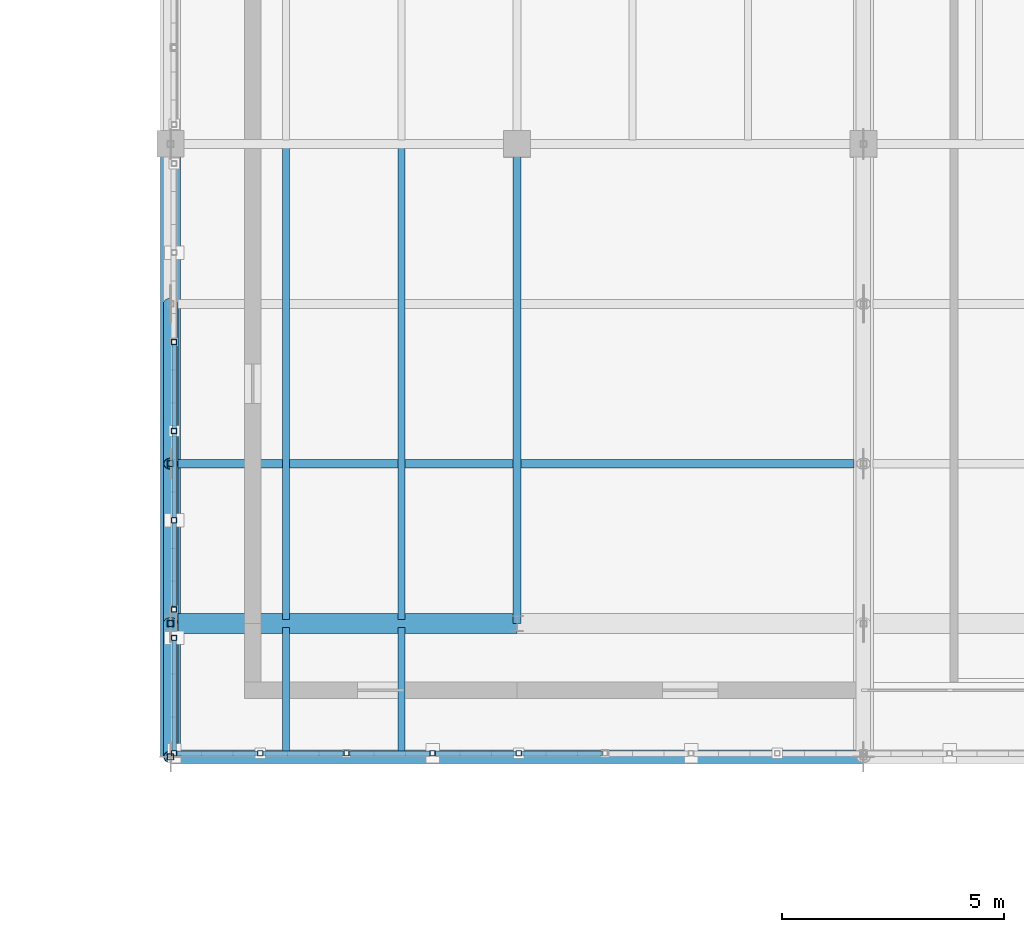
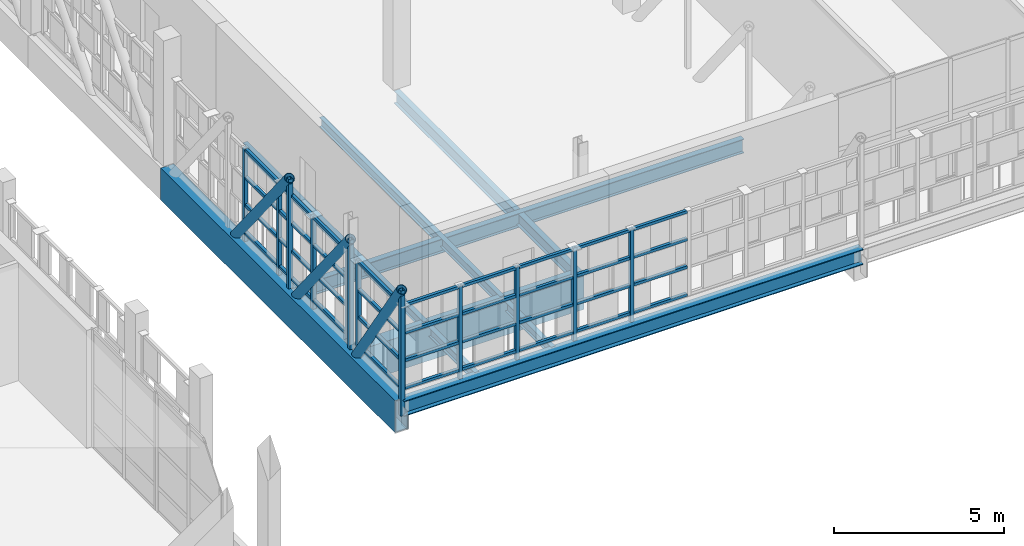
# One storey, part 22 of 119: 52 members, 9 beams.
"""IFC4 building model written with IfcOpenShell, lengths in metres."""

from ifc_helpers import new_model, si_unit, direction, frame, origin, origin_2d, place, context, subcontext, project, spatial, hollow_rectangle, hollow_circle, i_section, extrude, material, material_profile, profile_set, type_object, element, save


model = new_model("IFC4")

# Units and contexts
model_context = context("Model", 3, precision=1e-05, world=origin(), true_north=direction((0.0, 1.0)))
body_context = subcontext(model_context, "Body", "Model", "MODEL_VIEW")
ifc_project = project(units=[si_unit("LENGTHUNIT", "METRE"), si_unit("AREAUNIT", "SQUARE_METRE"), si_unit("VOLUMEUNIT", "CUBIC_METRE"), si_unit("PLANEANGLEUNIT", "RADIAN"), si_unit("MASSUNIT", "GRAM", prefix="KILO")], contexts=[model_context])

# Site, building, storey
site_placement = place(None, origin())
site = spatial("IfcSite", under=ifc_project, at=site_placement, CompositionType="ELEMENT")
building_placement = place(site_placement, origin())
building = spatial("IfcBuilding", under=site, at=building_placement, Name="Celorna Specialist Clinic", CompositionType="ELEMENT")
storey_placement = place(building_placement, frame((0.0, 0.0, 9.60009765625)))
storey = spatial("IfcBuildingStorey", under=building, at=storey_placement, Name="L02", CompositionType="ELEMENT", Elevation=9.60009765625)

# Beams
ifc_material = material(Name="Steel S355", Category="steel")
ifc_material_profile_1 = material_profile(ifc_material, hollow_rectangle(XDim=0.449951171875, YDim=1.14990234375, WallThickness=0.031982421875, at=origin_2d()), Name="BOX 450x1150x32")
ifc_profile_set_1 = profile_set([ifc_material_profile_1], Name="Steel S355")
beam_type_1 = type_object("IfcBeamType", Name="BM-01", PredefinedType="BEAM", material=ifc_profile_set_1)
beam_1_placement = place(storey_placement, frame((54.60009765625, 5.699951171875, -0.835205078125), z_axis=(0.0, 1.0, 0.0), x_axis=(-1.0, 0.0, 0.0)))
element("IfcBeam", 1, at=beam_1_placement, inside=storey, type_object=beam_type_1, Name="Cantilever Pratt truss chord WP-001-WP-002", PredefinedType="BEAM", context=body_context, shape_type="SweptSolid", body=[
    extrude(hollow_rectangle(XDim=0.449951171875, YDim=1.14990234375, WallThickness=0.031982421875, at=origin_2d()), origin(), (0.0, 0.0, 1.0), 13.800048828125),
])
ifc_material_profile_2 = material_profile(ifc_material, hollow_rectangle(XDim=0.449951171875, YDim=1.199951171875, WallThickness=0.031982421875, at=origin_2d()), Name="BOX 450x1200x32")
ifc_profile_set_2 = profile_set([ifc_material_profile_2], Name="Steel S355")
beam_type_2 = type_object("IfcBeamType", Name="BM-02", PredefinedType="BEAM", material=ifc_profile_set_2)
beam_2_placement = place(storey_placement, frame((54.60009765625, 8.699951171875, -0.860107421875), z_axis=(1.0, 0.0, 0.0), x_axis=(0.0, 1.0, 0.0)))
element("IfcBeam", 2, at=beam_2_placement, inside=storey, type_object=beam_type_2, Name="Portico transfer box girder BM-02 #9", PredefinedType="BEAM", context=body_context, shape_type="SweptSolid", body=[
    extrude(hollow_rectangle(XDim=0.449951171875, YDim=1.199951171875, WallThickness=0.031982421875, at=origin_2d()), origin(), (0.0, 0.0, 1.0), 7.7998046875),
])
ifc_material_profile_3 = material_profile(ifc_material, i_section(OverallWidth=0.300048828125, OverallDepth=0.550048828125, WebThickness=0.014892578125, FlangeThickness=0.029052734375, at=origin_2d()), Name="HE 550 B")
ifc_profile_set_3 = profile_set([ifc_material_profile_3], Name="Steel S355")
beam_type_3 = type_object("IfcBeamType", Name="BM-04", PredefinedType="BEAM", material=ifc_profile_set_3)
beam_3_placement = place(storey_placement, frame((54.60009765625, 5.699951171875, -0.53515625), z_axis=(1.0, 0.0, 0.0), x_axis=(0.0, 1.0, 0.0)))
element("IfcBeam", 3, at=beam_3_placement, inside=storey, type_object=beam_type_3, Name="Cantilever nose edge girder BM-04 #3", PredefinedType="BEAM", context=body_context, shape_type="SweptSolid", body=[
    extrude(i_section(OverallWidth=0.300048828125, OverallDepth=0.550048828125, WebThickness=0.014892578125, FlangeThickness=0.029052734375, at=origin_2d()), origin(), (0.0, 0.0, 1.0), 15.599853515625),
])
ifc_material_profile_4 = material_profile(ifc_material, i_section(OverallWidth=0.199951171875, OverallDepth=0.5, WebThickness=0.01025390625, FlangeThickness=0.01611328125, at=origin_2d()), Name="IPE 500")
ifc_profile_set_4 = profile_set([ifc_material_profile_4], Name="Steel S355")
beam_type_4 = type_object("IfcBeamType", Name="BM-08", PredefinedType="BEAM", material=ifc_profile_set_4)
beam_4_placement = place(storey_placement, frame((54.60009765625, 12.300048828125, -0.510009765625), z_axis=(1.0, 0.0, 0.0), x_axis=(0.0, 1.0, 0.0)))
element("IfcBeam", 4, at=beam_4_placement, inside=storey, type_object=beam_type_4, Name="Cantilever floor girder BM-08 #18", PredefinedType="BEAM", context=body_context, shape_type="SweptSolid", body=[
    extrude(i_section(OverallWidth=0.199951171875, OverallDepth=0.5, WebThickness=0.01025390625, FlangeThickness=0.01611328125, at=origin_2d()), origin(), (0.0, 0.0, 1.0), 15.385009765625),
])
ifc_material_profile_5 = material_profile(ifc_material, i_section(OverallWidth=0.18994140625, OverallDepth=0.449951171875, WebThickness=0.009521484375, FlangeThickness=0.0146484375, at=origin_2d()), Name="IPE 450")
ifc_profile_set_5 = profile_set([ifc_material_profile_5], Name="Steel S355")
beam_type_5 = type_object("IfcBeamType", Name="BM-09", PredefinedType="BEAM", material=ifc_profile_set_5)
beam_5_placement = place(storey_placement, frame((62.39990234375, 8.699951171875, -0.485107421875), z_axis=(0.0, 1.0, 0.0), x_axis=(-1.0, 0.0, 0.0)))
element("IfcBeam", 5, at=beam_5_placement, inside=storey, type_object=beam_type_5, Name="Transverse girder BM-09 #2125", PredefinedType="BEAM", context=body_context, shape_type="SweptSolid", body=[
    extrude(i_section(OverallWidth=0.18994140625, OverallDepth=0.449951171875, WebThickness=0.009521484375, FlangeThickness=0.0146484375, at=origin_2d()), origin(), (0.0, 0.0, 1.0), 10.800048828125),
])
ifc_material_profile_6 = material_profile(ifc_material, i_section(OverallWidth=0.159912109375, OverallDepth=0.330078125, WebThickness=0.007568359375, FlangeThickness=0.011474609375, at=origin_2d()), Name="IPE 330")
ifc_profile_set_6 = profile_set([ifc_material_profile_6], Name="Steel S355")
beam_type_6 = type_object("IfcBeamType", Name="BM-12", PredefinedType="JOIST", material=ifc_profile_set_6)
for number, where, z_axis, x_axis, name in (
    (6, (57.199951171875, 5.7880859375, -0.425048828125), (0.0, 1.0, 0.0), (-1.0, 0.0, 0.0), "Secondary floor joist BM-12 #2132"),
    (7, (59.800048828125, 5.7880859375, -0.425048828125), (0.0, 1.0, 0.0), (-1.0, 0.0, 0.0), "Secondary floor joist BM-12 #2133"),
):
    element("IfcBeam", number, at=place(storey_placement, frame(where, z_axis=z_axis, x_axis=x_axis)), inside=storey, type_object=beam_type_6, Name=name, PredefinedType="JOIST", context=body_context, shape_type="SweptSolid", body=[
        extrude(i_section(OverallWidth=0.159912109375, OverallDepth=0.330078125, WebThickness=0.007568359375, FlangeThickness=0.011474609375, at=origin_2d()), origin(), (0.0, 0.0, 1.0), 2.823974609375),
    ])
for number, where, z_axis, x_axis, name in (
    (8, (57.199951171875, 8.7880859375, -0.425048828125), (0.0, 1.0, 0.0), (-1.0, 0.0, 0.0), "Secondary floor joist BM-12 #2134"),
    (9, (59.800048828125, 8.7880859375, -0.425048828125), (0.0, 1.0, 0.0), (-1.0, 0.0, 0.0), "Secondary floor joist BM-12 #2135"),
):
    element("IfcBeam", number, at=place(storey_placement, frame(where, z_axis=z_axis, x_axis=x_axis)), inside=storey, type_object=beam_type_6, Name=name, PredefinedType="JOIST", context=body_context, shape_type="SweptSolid", body=[
        extrude(i_section(OverallWidth=0.159912109375, OverallDepth=0.330078125, WebThickness=0.007568359375, FlangeThickness=0.011474609375, at=origin_2d()), origin(), (0.0, 0.0, 1.0), 10.6240234375),
    ])

# Members
ifc_material_profile_7 = material_profile(ifc_material, hollow_circle(Radius=0.161865234375, WallThickness=0.01611328125, at=origin_2d()), Name="CHS 323.9x16")
ifc_profile_set_7 = profile_set([ifc_material_profile_7], Name="Steel S355")
member_type_1 = type_object("IfcMemberType", Name="MB-05", PredefinedType="BRACE", material=ifc_profile_set_7)
member_1_placement = place(storey_placement, frame((54.60009765625, 5.699951171875, 3.664794921875), z_axis=(0.0, 0.554700196225, -0.832050294338), x_axis=(-1.0, 0.0, 0.0)))
element("IfcMember", 10, at=member_1_placement, inside=storey, type_object=member_type_1, Name="Cantilever Pratt truss web diagonal WP-006-WP-016", PredefinedType="BRACE", context=body_context, shape_type="SweptSolid", body=[
    extrude(hollow_circle(Radius=0.161865234375, WallThickness=0.01611328125, at=origin_2d()), origin(), (0.0, 0.0, 1.0), 5.408447265625),
])
member_2_placement = place(storey_placement, frame((54.60009765625, 8.699951171875, 3.664794921875), z_axis=(0.0, 0.624705380279, -0.780860543151), x_axis=(-1.0, 0.0, 0.0)))
element("IfcMember", 11, at=member_2_placement, inside=storey, type_object=member_type_1, Name="Cantilever Pratt truss web diagonal WP-017-WP-018", PredefinedType="BRACE", context=body_context, shape_type="SweptSolid", body=[
    extrude(hollow_circle(Radius=0.161865234375, WallThickness=0.01611328125, at=origin_2d()), origin(), (0.0, 0.0, 1.0), 5.762939453125),
])
member_3_placement = place(storey_placement, frame((54.60009765625, 12.300048828125, 3.664794921875), z_axis=(0.0, 0.624679547852, -0.780881208953), x_axis=(-1.0, 0.0, 0.0)))
element("IfcMember", 12, at=member_3_placement, inside=storey, type_object=member_type_1, Name="Cantilever Pratt truss web diagonal WP-019-WP-020", PredefinedType="BRACE", context=body_context, shape_type="SweptSolid", body=[
    extrude(hollow_circle(Radius=0.161865234375, WallThickness=0.01611328125, at=origin_2d()), origin(), (0.0, 0.0, 1.0), 5.7626953125),
])
ifc_material_profile_8 = material_profile(ifc_material, hollow_rectangle(XDim=0.139892578125, YDim=0.139892578125, WallThickness=0.008056640625, at=origin_2d()), Name="SHS 140x140x8")
ifc_profile_set_8 = profile_set([ifc_material_profile_8], Name="Steel S355")
member_type_2 = type_object("IfcMemberType", Name="MB-10", PredefinedType="CHORD", material=ifc_profile_set_8)
for number, where, z_axis, x_axis, name in (
    (13, (54.60009765625, 5.699951171875, -0.835205078125), (0.0, 0.0, 1.0), (1.0, 0.0, 0.0), "Cantilever Pratt truss vertical post WP-001-WP-006"),
    (14, (54.60009765625, 8.699951171875, -0.835205078125), (0.0, 0.0, 1.0), (1.0, 0.0, 0.0), "Cantilever Pratt truss vertical post WP-016-WP-017"),
    (15, (54.60009765625, 12.300048828125, -0.835205078125), (0.0, 0.0, 1.0), (1.0, 0.0, 0.0), "Cantilever Pratt truss vertical post WP-018-WP-019"),
):
    element("IfcMember", number, at=place(storey_placement, frame(where, z_axis=z_axis, x_axis=x_axis)), inside=storey, type_object=member_type_2, Name=name, PredefinedType="CHORD", context=body_context, shape_type="SweptSolid", body=[
        extrude(hollow_rectangle(XDim=0.139892578125, YDim=0.139892578125, WallThickness=0.008056640625, at=origin_2d()), origin(), (0.0, 0.0, 1.0), 4.5),
    ])
ifc_material_profile_9 = material_profile(ifc_material, hollow_rectangle(XDim=0.1201171875, YDim=0.1201171875, WallThickness=0.008056640625, at=origin_2d()), Name="SHS 120x120x8")
ifc_profile_set_9 = profile_set([ifc_material_profile_9], Name="Steel S355")
member_type_3 = type_object("IfcMemberType", Name="MB-11", PredefinedType="STUD", material=ifc_profile_set_9)
for number, where, z_axis, x_axis, name in (
    (16, (54.679931640625, 5.780029296875, -0.360107421875), (0.0, 0.0, 1.0), (1.0, 0.0, 0.0), "Perforated screen steel post #1"),
    (17, (56.6201171875, 5.780029296875, -0.360107421875), (0.0, 0.0, 1.0), (1.0, 0.0, 0.0), "Perforated screen steel post #2"),
    (18, (58.56005859375, 5.780029296875, -0.360107421875), (0.0, 0.0, 1.0), (1.0, 0.0, 0.0), "Perforated screen steel post #3"),
    (19, (60.5, 5.780029296875, -0.360107421875), (0.0, 0.0, 1.0), (1.0, 0.0, 0.0), "Perforated screen steel post #4"),
    (20, (62.43994140625, 5.780029296875, -0.360107421875), (0.0, 0.0, 1.0), (1.0, 0.0, 0.0), "Perforated screen steel post #5"),
    (21, (54.679931640625, 8.3798828125, -0.360107421875), (0.0, 0.0, 1.0), (1.0, 0.0, 0.0), "Perforated screen steel post #163"),
    (22, (54.679931640625, 9.02001953125, -0.360107421875), (0.0, 0.0, 1.0), (1.0, 0.0, 0.0), "Perforated screen steel post #168"),
    (23, (54.679931640625, 11.028076171875, -0.360107421875), (0.0, 0.0, 1.0), (1.0, 0.0, 0.0), "Perforated screen steel post #169"),
    (24, (54.679931640625, 13.035888671875, -0.360107421875), (0.0, 0.0, 1.0), (1.0, 0.0, 0.0), "Perforated screen steel post #170"),
    (25, (54.679931640625, 15.0439453125, -0.360107421875), (0.0, 0.0, 1.0), (1.0, 0.0, 0.0), "Perforated screen steel post #171"),
):
    element("IfcMember", number, at=place(storey_placement, frame(where, z_axis=z_axis, x_axis=x_axis)), inside=storey, type_object=member_type_3, Name=name, PredefinedType="STUD", context=body_context, shape_type="SweptSolid", body=[
        extrude(hollow_rectangle(XDim=0.1201171875, YDim=0.1201171875, WallThickness=0.008056640625, at=origin_2d()), origin(), (0.0, 0.0, 1.0), 3.43994140625),
    ])
ifc_material_profile_10 = material_profile(ifc_material, hollow_rectangle(XDim=0.10009765625, YDim=0.10009765625, WallThickness=0.006103515625, at=origin_2d()), Name="SHS 100x100x6")
ifc_profile_set_10 = profile_set([ifc_material_profile_10], Name="Steel S355")
member_type_4 = type_object("IfcMemberType", Name="MB-12", PredefinedType="STUD", material=ifc_profile_set_10)
for number, where, z_axis, x_axis, name in (
    (26, (54.739990234375, 5.780029296875, 0.0498046875), (1.0, 0.0, 0.0), (0.0, 1.0, 0.0), "Perforated screen rail #18"),
    (27, (54.739990234375, 5.780029296875, 1.043212890625), (1.0, 0.0, 0.0), (0.0, 1.0, 0.0), "Perforated screen rail #19"),
    (28, (54.739990234375, 5.780029296875, 2.03662109375), (1.0, 0.0, 0.0), (0.0, 1.0, 0.0), "Perforated screen rail #20"),
    (29, (54.739990234375, 5.780029296875, 3.02978515625), (1.0, 0.0, 0.0), (0.0, 1.0, 0.0), "Perforated screen rail #21"),
    (30, (56.679931640625, 5.780029296875, 0.0498046875), (1.0, 0.0, 0.0), (0.0, 1.0, 0.0), "Perforated screen rail #22"),
    (31, (56.679931640625, 5.780029296875, 1.043212890625), (1.0, 0.0, 0.0), (0.0, 1.0, 0.0), "Perforated screen rail #23"),
    (32, (56.679931640625, 5.780029296875, 2.03662109375), (1.0, 0.0, 0.0), (0.0, 1.0, 0.0), "Perforated screen rail #24"),
    (33, (56.679931640625, 5.780029296875, 3.02978515625), (1.0, 0.0, 0.0), (0.0, 1.0, 0.0), "Perforated screen rail #25"),
):
    element("IfcMember", number, at=place(storey_placement, frame(where, z_axis=z_axis, x_axis=x_axis)), inside=storey, type_object=member_type_4, Name=name, PredefinedType="STUD", context=body_context, shape_type="SweptSolid", body=[
        extrude(hollow_rectangle(XDim=0.10009765625, YDim=0.10009765625, WallThickness=0.006103515625, at=origin_2d()), origin(), (0.0, 0.0, 1.0), 1.820068359375),
    ])
for number, where, z_axis, x_axis, name in (
    (34, (58.6201171875, 5.780029296875, 0.0498046875), (1.0, 0.0, 0.0), (0.0, 1.0, 0.0), "Perforated screen rail #26"),
    (35, (58.6201171875, 5.780029296875, 1.043212890625), (1.0, 0.0, 0.0), (0.0, 1.0, 0.0), "Perforated screen rail #27"),
    (36, (58.6201171875, 5.780029296875, 2.03662109375), (1.0, 0.0, 0.0), (0.0, 1.0, 0.0), "Perforated screen rail #28"),
    (37, (58.6201171875, 5.780029296875, 3.02978515625), (1.0, 0.0, 0.0), (0.0, 1.0, 0.0), "Perforated screen rail #29"),
    (38, (60.56005859375, 5.780029296875, 0.0498046875), (1.0, 0.0, 0.0), (0.0, 1.0, 0.0), "Perforated screen rail #30"),
    (39, (60.56005859375, 5.780029296875, 1.043212890625), (1.0, 0.0, 0.0), (0.0, 1.0, 0.0), "Perforated screen rail #31"),
    (40, (60.56005859375, 5.780029296875, 2.03662109375), (1.0, 0.0, 0.0), (0.0, 1.0, 0.0), "Perforated screen rail #32"),
    (41, (60.56005859375, 5.780029296875, 3.02978515625), (1.0, 0.0, 0.0), (0.0, 1.0, 0.0), "Perforated screen rail #33"),
):
    element("IfcMember", number, at=place(storey_placement, frame(where, z_axis=z_axis, x_axis=x_axis)), inside=storey, type_object=member_type_4, Name=name, PredefinedType="STUD", context=body_context, shape_type="SweptSolid", body=[
        extrude(hollow_rectangle(XDim=0.10009765625, YDim=0.10009765625, WallThickness=0.006103515625, at=origin_2d()), origin(), (0.0, 0.0, 1.0), 1.81982421875),
    ])
for number, where, z_axis, x_axis, name in (
    (42, (62.5, 5.780029296875, 0.0498046875), (1.0, 0.0, 0.0), (0.0, 1.0, 0.0), "Perforated screen rail #34"),
    (43, (62.5, 5.780029296875, 1.043212890625), (1.0, 0.0, 0.0), (0.0, 1.0, 0.0), "Perforated screen rail #35"),
    (44, (62.5, 5.780029296875, 2.03662109375), (1.0, 0.0, 0.0), (0.0, 1.0, 0.0), "Perforated screen rail #36"),
    (45, (62.5, 5.780029296875, 3.02978515625), (1.0, 0.0, 0.0), (0.0, 1.0, 0.0), "Perforated screen rail #37"),
):
    element("IfcMember", number, at=place(storey_placement, frame(where, z_axis=z_axis, x_axis=x_axis)), inside=storey, type_object=member_type_4, Name=name, PredefinedType="STUD", context=body_context, shape_type="SweptSolid", body=[
        extrude(hollow_rectangle(XDim=0.10009765625, YDim=0.10009765625, WallThickness=0.006103515625, at=origin_2d()), origin(), (0.0, 0.0, 1.0), 1.820068359375),
    ])
for number, where, z_axis, x_axis, name in (
    (46, (54.679931640625, 5.840087890625, 0.0498046875), (0.0, 1.0, 0.0), (-1.0, 0.0, 0.0), "Perforated screen rail #164"),
    (47, (54.679931640625, 5.840087890625, 1.043212890625), (0.0, 1.0, 0.0), (-1.0, 0.0, 0.0), "Perforated screen rail #165"),
    (48, (54.679931640625, 5.840087890625, 2.03662109375), (0.0, 1.0, 0.0), (-1.0, 0.0, 0.0), "Perforated screen rail #166"),
    (49, (54.679931640625, 5.840087890625, 3.02978515625), (0.0, 1.0, 0.0), (-1.0, 0.0, 0.0), "Perforated screen rail #167"),
):
    element("IfcMember", number, at=place(storey_placement, frame(where, z_axis=z_axis, x_axis=x_axis)), inside=storey, type_object=member_type_4, Name=name, PredefinedType="STUD", context=body_context, shape_type="SweptSolid", body=[
        extrude(hollow_rectangle(XDim=0.10009765625, YDim=0.10009765625, WallThickness=0.006103515625, at=origin_2d()), origin(), (0.0, 0.0, 1.0), 2.47998046875),
    ])
for number, where, z_axis, x_axis, name in (
    (50, (54.679931640625, 9.080078125, 0.0498046875), (0.0, 1.0, 0.0), (-1.0, 0.0, 0.0), "Perforated screen rail #174"),
    (51, (54.679931640625, 9.080078125, 1.043212890625), (0.0, 1.0, 0.0), (-1.0, 0.0, 0.0), "Perforated screen rail #175"),
    (52, (54.679931640625, 9.080078125, 2.03662109375), (0.0, 1.0, 0.0), (-1.0, 0.0, 0.0), "Perforated screen rail #176"),
    (53, (54.679931640625, 9.080078125, 3.02978515625), (0.0, 1.0, 0.0), (-1.0, 0.0, 0.0), "Perforated screen rail #177"),
):
    element("IfcMember", number, at=place(storey_placement, frame(where, z_axis=z_axis, x_axis=x_axis)), inside=storey, type_object=member_type_4, Name=name, PredefinedType="STUD", context=body_context, shape_type="SweptSolid", body=[
        extrude(hollow_rectangle(XDim=0.10009765625, YDim=0.10009765625, WallThickness=0.006103515625, at=origin_2d()), origin(), (0.0, 0.0, 1.0), 1.887939453125),
    ])
for number, where, z_axis, x_axis, name in (
    (54, (54.679931640625, 11.087890625, 0.0498046875), (0.0, 1.0, 0.0), (-1.0, 0.0, 0.0), "Perforated screen rail #178"),
    (55, (54.679931640625, 11.087890625, 1.043212890625), (0.0, 1.0, 0.0), (-1.0, 0.0, 0.0), "Perforated screen rail #179"),
    (56, (54.679931640625, 11.087890625, 2.03662109375), (0.0, 1.0, 0.0), (-1.0, 0.0, 0.0), "Perforated screen rail #180"),
    (57, (54.679931640625, 11.087890625, 3.02978515625), (0.0, 1.0, 0.0), (-1.0, 0.0, 0.0), "Perforated screen rail #181"),
):
    element("IfcMember", number, at=place(storey_placement, frame(where, z_axis=z_axis, x_axis=x_axis)), inside=storey, type_object=member_type_4, Name=name, PredefinedType="STUD", context=body_context, shape_type="SweptSolid", body=[
        extrude(hollow_rectangle(XDim=0.10009765625, YDim=0.10009765625, WallThickness=0.006103515625, at=origin_2d()), origin(), (0.0, 0.0, 1.0), 1.88818359375),
    ])
for number, where, z_axis, x_axis, name in (
    (58, (54.679931640625, 13.095947265625, 0.0498046875), (0.0, 1.0, 0.0), (-1.0, 0.0, 0.0), "Perforated screen rail #182"),
    (59, (54.679931640625, 13.095947265625, 1.043212890625), (0.0, 1.0, 0.0), (-1.0, 0.0, 0.0), "Perforated screen rail #183"),
    (60, (54.679931640625, 13.095947265625, 2.03662109375), (0.0, 1.0, 0.0), (-1.0, 0.0, 0.0), "Perforated screen rail #184"),
    (61, (54.679931640625, 13.095947265625, 3.02978515625), (0.0, 1.0, 0.0), (-1.0, 0.0, 0.0), "Perforated screen rail #185"),
):
    element("IfcMember", number, at=place(storey_placement, frame(where, z_axis=z_axis, x_axis=x_axis)), inside=storey, type_object=member_type_4, Name=name, PredefinedType="STUD", context=body_context, shape_type="SweptSolid", body=[
        extrude(hollow_rectangle(XDim=0.10009765625, YDim=0.10009765625, WallThickness=0.006103515625, at=origin_2d()), origin(), (0.0, 0.0, 1.0), 1.887939453125),
    ])

save(model, "model.ifc")
